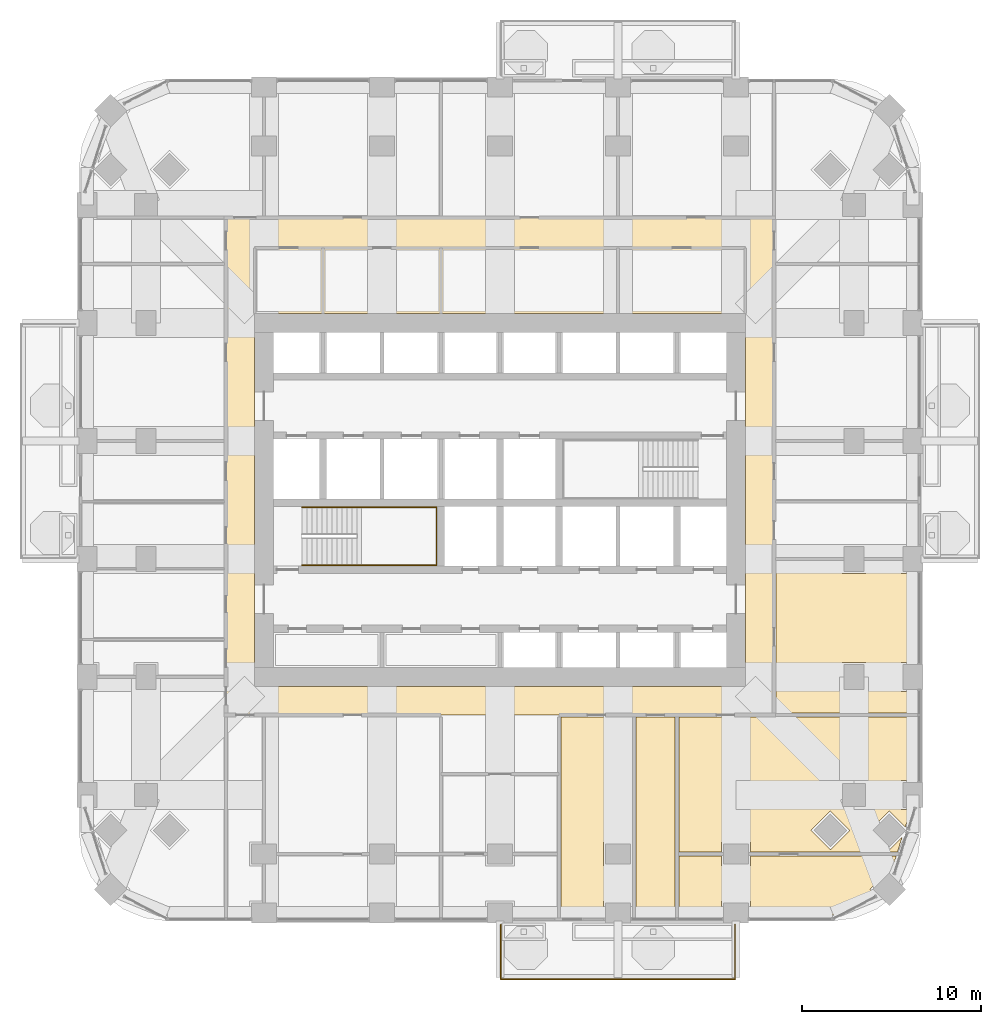
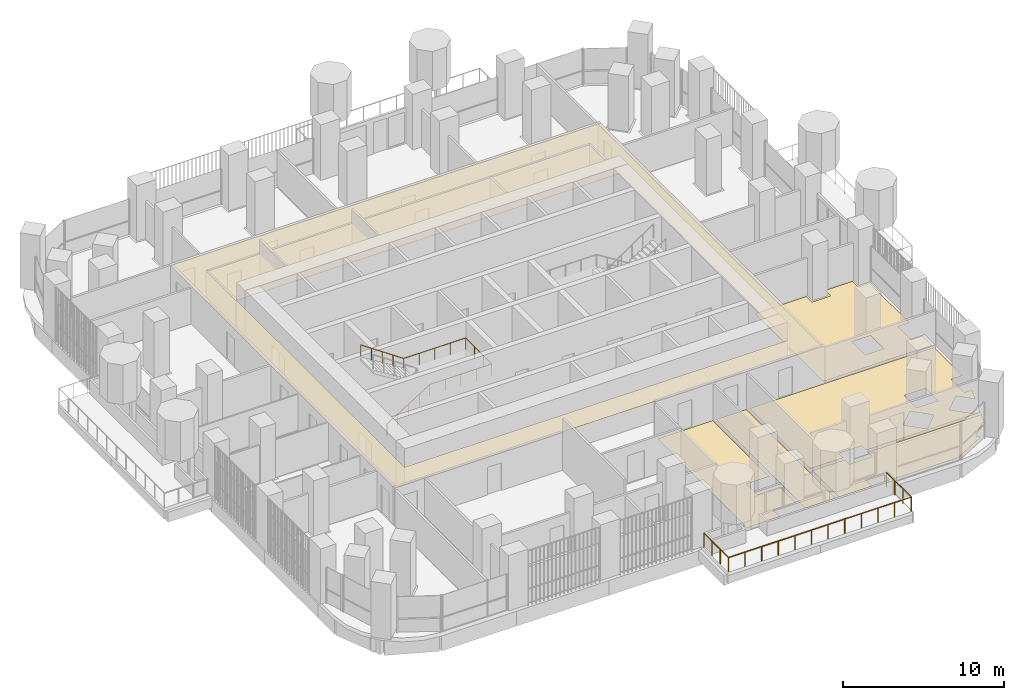
# One storey, part 20 of 23: 6 coverings, 2 railings.
"""IFC4 building model written with IfcOpenShell, lengths in metres."""

import ifcopenshell
import ifcopenshell.guid

model = None  # the IFC model being written
_history = None  # IfcOwnerHistory: only IFC2X3 demands one
_inside = {}  # id of a spatial element -> (the spatial element, [elements in it])
_under = {}  # id of a project, library or spatial element -> (it, [spatial elements below it])
_declared = {}  # id of a project -> (the project, [libraries it declares])
_typed = {}  # id of a type object -> (the type object, [elements of that type])
_made_of = {}  # id of a material, layer set ... -> (it, [elements and type objects made of it])


def new_model(schema):
    """Start an empty IFC model of exactly this schema.

    Asked for "IFC4X3", IfcOpenShell would pick the latest addendum, in which some entities
    have other attributes; the version numbers below select the first issue.
    IFC2X3 requires an IfcOwnerHistory on every rooted entity: one is made here for all.
    """
    global model, _history
    if schema == "IFC4X3":
        model = ifcopenshell.file(schema_version=(4, 3, 0, 0))
    else:
        model = ifcopenshell.file(schema=schema)
    _inside.clear()
    _under.clear()
    _declared.clear()
    _typed.clear()
    _made_of.clear()
    _history = None
    if model.schema == "IFC2X3":
        org = make("IfcOrganization", Name="unknown")
        user = make(
            "IfcPersonAndOrganization",
            ThePerson=make("IfcPerson", FamilyName="unknown"),
            TheOrganization=org,
        )
        app = make(
            "IfcApplication",
            ApplicationDeveloper=org,
            Version="unknown",
            ApplicationFullName="unknown",
            ApplicationIdentifier="unknown",
        )
        _history = make(
            "IfcOwnerHistory",
            OwningUser=user,
            OwningApplication=app,
            ChangeAction="ADDED",
            CreationDate=0,
        )
    return model


def make(cls, **values):
    """One entity of the class cls with the attributes given. An attribute that is None is left unset."""
    return model.create_entity(
        cls, **{name: value for name, value in values.items() if value is not None}
    )


def rooted(cls, **values):
    """An entity with a GlobalId (a new one), such as an element, a storey or a relation."""
    return make(cls, GlobalId=ifcopenshell.guid.new(), OwnerHistory=_history, **values)


def si_unit(unit_type, name, prefix=None):
    """IfcSIUnit, for example si_unit("LENGTHUNIT", "METRE", prefix="MILLI")."""
    return make("IfcSIUnit", UnitType=unit_type, Prefix=prefix, Name=name)


def assignment(units):
    """IfcUnitAssignment: the units of a project."""
    return None if units is None else make("IfcUnitAssignment", Units=units)


def point(xyz):
    """IfcCartesianPoint."""
    return None if xyz is None else make("IfcCartesianPoint", Coordinates=xyz)


def direction(xyz):
    """IfcDirection."""
    return None if xyz is None else make("IfcDirection", DirectionRatios=xyz)


def frame(location, z_axis=None, x_axis=None):
    """IfcAxis2Placement3D, a coordinate frame: its origin and axes. An axis left out is left unset."""
    return make(
        "IfcAxis2Placement3D",
        Location=point(location),
        Axis=direction(z_axis),
        RefDirection=direction(x_axis),
    )


def origin():
    """The frame at (0, 0, 0) with its axes left unset."""
    return frame((0.0, 0.0, 0.0))


def place(relative_to, where):
    """IfcLocalPlacement: puts the frame where relative to a parent placement (None: the world)."""
    return make(
        "IfcLocalPlacement", PlacementRelTo=relative_to, RelativePlacement=where
    )


def context(
    kind, dimensions, precision=None, world=None, true_north=None, identifier=None
):
    """IfcGeometricRepresentationContext, for example the 3D "Model" context."""
    return make(
        "IfcGeometricRepresentationContext",
        ContextIdentifier=identifier,
        ContextType=kind,
        CoordinateSpaceDimension=dimensions,
        Precision=precision,
        WorldCoordinateSystem=world,
        TrueNorth=true_north,
    )


def subcontext(parent, identifier, kind, view, scale=None):
    """IfcGeometricRepresentationSubContext, for example "Body" below "Model"."""
    return make(
        "IfcGeometricRepresentationSubContext",
        ContextIdentifier=identifier,
        ContextType=kind,
        ParentContext=parent,
        TargetScale=scale,
        TargetView=view,
    )


def project(units=None, contexts=None):
    """IfcProject with its units and contexts."""
    return rooted(
        "IfcProject",
        Name="project",
        RepresentationContexts=contexts,
        UnitsInContext=assignment(units),
    )


def spatial(cls, under=None, at=None, **own):
    """A site, building, storey or space (cls), placed at a placement, below another one or the project."""
    s = rooted(cls, ObjectPlacement=at, **own)
    if under is not None:
        _under.setdefault(under.id(), (under, []))[1].append(s)
    return s


def polyline(points):
    """IfcPolyline through the points."""
    return make("IfcPolyline", Points=[point(p) for p in points])


def outline(outer, holes=None, kind="AREA"):
    """IfcArbitraryClosedProfileDef: a profile drawn as a closed curve; with holes, ...WithVoids."""
    if holes is None:
        return make("IfcArbitraryClosedProfileDef", ProfileType=kind, OuterCurve=outer)
    return make(
        "IfcArbitraryProfileDefWithVoids",
        ProfileType=kind,
        OuterCurve=outer,
        InnerCurves=holes,
    )


def extrude(swept, where, along, depth):
    """IfcExtrudedAreaSolid: the profile swept, set in the frame where, extruded along a direction by depth."""
    return make(
        "IfcExtrudedAreaSolid",
        SweptArea=swept,
        Position=where,
        ExtrudedDirection=direction(along),
        Depth=depth,
    )


def shape(context_of_items, identifier, shape_type, items):
    """IfcShapeRepresentation: the items that make up one representation, for example the "Body"."""
    return make(
        "IfcShapeRepresentation",
        ContextOfItems=context_of_items,
        RepresentationIdentifier=identifier,
        RepresentationType=shape_type,
        Items=items,
    )


def material(Name=None, Category=None):
    """IfcMaterial."""
    return make("IfcMaterial", Name=Name, Category=Category)


def layer(
    of_material, thickness, ventilated=None, Name=None, Category=None, Priority=None
):
    """IfcMaterialLayer: one layer of a wall or slab, of a material (None: an air gap)."""
    return make(
        "IfcMaterialLayer",
        Material=of_material,
        LayerThickness=thickness,
        IsVentilated=ventilated,
        Name=Name,
        Category=Category,
        Priority=Priority,
    )


def layer_set(layers, Name=None):
    """IfcMaterialLayerSet."""
    return make("IfcMaterialLayerSet", MaterialLayers=layers, LayerSetName=Name)


def made_of(thing, what):
    """Note that an element or type object is made of a material, layer set ...; save() writes the relation."""
    if what is not None:
        _made_of.setdefault(what.id(), (what, []))[1].append(thing)
    return thing


def type_object(cls, material=None, **own):
    """A type object (cls), such as IfcWallType, which elements share."""
    return made_of(rooted(cls, **own), material)


def element(
    cls,
    number,
    at=None,
    inside=None,
    cuts=None,
    type_object=None,
    material=None,
    context=None,
    identifier="Body",
    shape_type=None,
    held_by="IfcProductDefinitionShape",
    body=None,
    shapes=None,
    **own,
):
    """One element of the class cls, such as IfcWall. Its Tag is "e" and its number.

    at: its placement. inside: the storey or other place that contains it. cuts: it is an
    opening in that element (IfcRelVoidsElement). A single representation is given by context,
    identifier, shape_type and body (its items); several are given by shapes. held_by: the class
    of the entity that holds the representations. save() writes the other relations.
    """
    e = rooted(cls, Tag="e%d" % number, ObjectPlacement=at, **own)
    if body is not None:
        shapes = [shape(context, identifier, shape_type, body)]
    if shapes is not None:
        e.Representation = make(held_by, Representations=shapes)
    if inside is not None:
        _inside.setdefault(inside.id(), (inside, []))[1].append(e)
    if cuts is not None:
        rooted(
            "IfcRelVoidsElement", RelatingBuildingElement=cuts, RelatedOpeningElement=e
        )
    if type_object is not None:
        _typed.setdefault(type_object.id(), (type_object, []))[1].append(e)
    return made_of(e, material)


def aggregate(whole, parts):
    """IfcRelAggregates: a whole, such as a stair, and the parts it consists of."""
    return rooted("IfcRelAggregates", RelatingObject=whole, RelatedObjects=parts)


def save(model, path):
    """Write the relations noted so far, then the file.

    IfcRelAggregates (storeys below a building ...), IfcRelContainedInSpatialStructure (elements
    in a storey), IfcRelDefinesByType, IfcRelAssociatesMaterial and IfcRelDeclares: one each for
    every whole, place, type object, material and project.
    """
    for whole, parts in _under.values():
        aggregate(whole, parts)
    for where, things in _inside.values():
        rooted(
            "IfcRelContainedInSpatialStructure",
            RelatedElements=things,
            RelatingStructure=where,
        )
    for kind, things in _typed.values():
        rooted("IfcRelDefinesByType", RelatedObjects=things, RelatingType=kind)
    for what, things in _made_of.values():
        rooted("IfcRelAssociatesMaterial", RelatedObjects=things, RelatingMaterial=what)
    for by, libraries in _declared.values():
        rooted("IfcRelDeclares", RelatingContext=by, RelatedDefinitions=libraries)
    model.write(path)


model = new_model("IFC4")

# Units and contexts
model_context = context("Model", 3, precision=1e-05, world=origin(), true_north=direction((0.0, 1.0)))
body_context = subcontext(model_context, "Body", "Model", "MODEL_VIEW")
ifc_project = project(units=[si_unit("LENGTHUNIT", "METRE"), si_unit("AREAUNIT", "SQUARE_METRE"), si_unit("VOLUMEUNIT", "CUBIC_METRE"), si_unit("PLANEANGLEUNIT", "RADIAN"), si_unit("MASSUNIT", "GRAM", prefix="KILO")], contexts=[model_context])

# Site, building, storey
site_placement = place(None, origin())
site = spatial("IfcSite", under=ifc_project, at=site_placement, CompositionType="ELEMENT")
building_placement = place(site_placement, origin())
building = spatial("IfcBuilding", under=site, at=building_placement, Name="Cobogo Forest Laboratory Tower", CompositionType="ELEMENT")
storey_placement = place(building_placement, frame((0.0, 0.0, 128.39990234375)))
storey = spatial("IfcBuildingStorey", under=building, at=storey_placement, Name="L29", CompositionType="ELEMENT", Elevation=128.39990234375)

# Railing
ifc_material_1 = material(Name="Laminated glass balustrade", Category="glass")
railing_type_1 = type_object("IfcRailingType", Name="BG1 glass balustrade 1100", PredefinedType="GUARDRAIL", material=ifc_material_1)
railing_1_placement = place(storey_placement, frame((26.449951171875, -0.64990234375, 0.0)))
element("IfcRailing", 1, at=railing_1_placement, inside=storey, type_object=railing_type_1, Name="Balcony balustrade BAL-S1 L29", PredefinedType="GUARDRAIL", context=body_context, shape_type="SweptSolid", body=[
    extrude(outline(polyline([(0.022216796875, 0.00927734375), (0.00927734375, 0.022216796875), (-0.00927734375, 0.022216796875), (-0.022216796875, 0.00927734375), (-0.022216796875, -0.00927734375), (-0.00927734375, -0.022216796875), (0.00927734375, -0.022216796875), (0.022216796875, -0.00927734375), (0.022216796875, 0.00927734375)])), frame((0.0, 0.0, 1.077880859375), z_axis=(0.0, -1.0, 0.0), x_axis=(1.0, 0.0, 0.0)), (0.0, 0.0, 1.0), 3.050048828125),
    extrude(outline(polyline([(0.022216796875, 0.00927734375), (0.00927734375, 0.022216796875), (-0.00927734375, 0.022216796875), (-0.022216796875, 0.00927734375), (-0.022216796875, -0.00927734375), (-0.00927734375, -0.022216796875), (0.00927734375, -0.022216796875), (0.022216796875, -0.00927734375), (0.022216796875, 0.00927734375)])), frame((0.0, -3.050048828125, 1.077880859375), z_axis=(1.0, 0.0, 0.0), x_axis=(0.0, 1.0, 0.0)), (0.0, 0.0, 1.0), 13.10009765625),
    extrude(outline(polyline([(0.022216796875, 0.00927734375), (0.00927734375, 0.022216796875), (-0.00927734375, 0.022216796875), (-0.022216796875, 0.00927734375), (-0.022216796875, -0.00927734375), (-0.00927734375, -0.022216796875), (0.00927734375, -0.022216796875), (0.022216796875, -0.00927734375), (0.022216796875, 0.00927734375)])), frame((13.10009765625, -3.050048828125, 1.077880859375), z_axis=(0.0, 1.0, 0.0), x_axis=(-1.0, 0.0, 0.0)), (0.0, 0.0, 1.0), 3.050048828125),
    extrude(outline(polyline([(0.019287109375, 0.008056640625), (0.008056640625, 0.019287109375), (-0.008056640625, 0.019287109375), (-0.019287109375, 0.008056640625), (-0.019287109375, -0.008056640625), (-0.008056640625, -0.019287109375), (0.008056640625, -0.019287109375), (0.019287109375, -0.008056640625), (0.019287109375, 0.008056640625)])), origin(), (0.0, 0.0, 1.0), 1.077880859375),
    extrude(outline(polyline([(0.019287109375, 0.008056640625), (0.008056640625, 0.019287109375), (-0.008056640625, 0.019287109375), (-0.019287109375, 0.008056640625), (-0.019287109375, -0.008056640625), (-0.008056640625, -0.019287109375), (0.008056640625, -0.019287109375), (0.019287109375, -0.008056640625), (0.019287109375, 0.008056640625)])), frame((0.0, -1.0166015625, 0.0)), (0.0, 0.0, 1.0), 1.077880859375),
    extrude(outline(polyline([(0.019287109375, 0.008056640625), (0.008056640625, 0.019287109375), (-0.008056640625, 0.019287109375), (-0.019287109375, 0.008056640625), (-0.019287109375, -0.008056640625), (-0.008056640625, -0.019287109375), (0.008056640625, -0.019287109375), (0.019287109375, -0.008056640625), (0.019287109375, 0.008056640625)])), frame((0.0, -2.033447265625, 0.0)), (0.0, 0.0, 1.0), 1.077880859375),
    extrude(outline(polyline([(0.019287109375, 0.008056640625), (0.008056640625, 0.019287109375), (-0.008056640625, 0.019287109375), (-0.019287109375, 0.008056640625), (-0.019287109375, -0.008056640625), (-0.008056640625, -0.019287109375), (0.008056640625, -0.019287109375), (0.019287109375, -0.008056640625), (0.019287109375, 0.008056640625)])), frame((0.0, -3.050048828125, 0.0)), (0.0, 0.0, 1.0), 1.077880859375),
    extrude(outline(polyline([(0.019287109375, 0.008056640625), (0.008056640625, 0.019287109375), (-0.008056640625, 0.019287109375), (-0.019287109375, 0.008056640625), (-0.019287109375, -0.008056640625), (-0.008056640625, -0.019287109375), (0.008056640625, -0.019287109375), (0.019287109375, -0.008056640625), (0.019287109375, 0.008056640625)])), frame((1.19091796875, -3.050048828125, 0.0)), (0.0, 0.0, 1.0), 1.077880859375),
    extrude(outline(polyline([(0.019287109375, 0.008056640625), (0.008056640625, 0.019287109375), (-0.008056640625, 0.019287109375), (-0.019287109375, 0.008056640625), (-0.019287109375, -0.008056640625), (-0.008056640625, -0.019287109375), (0.008056640625, -0.019287109375), (0.019287109375, -0.008056640625), (0.019287109375, 0.008056640625)])), frame((2.3818359375, -3.050048828125, 0.0)), (0.0, 0.0, 1.0), 1.077880859375),
    extrude(outline(polyline([(0.019287109375, 0.008056640625), (0.008056640625, 0.019287109375), (-0.008056640625, 0.019287109375), (-0.019287109375, 0.008056640625), (-0.019287109375, -0.008056640625), (-0.008056640625, -0.019287109375), (0.008056640625, -0.019287109375), (0.019287109375, -0.008056640625), (0.019287109375, 0.008056640625)])), frame((3.57275390625, -3.050048828125, 0.0)), (0.0, 0.0, 1.0), 1.077880859375),
    extrude(outline(polyline([(0.019287109375, 0.008056640625), (0.008056640625, 0.019287109375), (-0.008056640625, 0.019287109375), (-0.019287109375, 0.008056640625), (-0.019287109375, -0.008056640625), (-0.008056640625, -0.019287109375), (0.008056640625, -0.019287109375), (0.019287109375, -0.008056640625), (0.019287109375, 0.008056640625)])), frame((4.763671875, -3.050048828125, 0.0)), (0.0, 0.0, 1.0), 1.077880859375),
    extrude(outline(polyline([(0.019287109375, 0.008056640625), (0.008056640625, 0.019287109375), (-0.008056640625, 0.019287109375), (-0.019287109375, 0.008056640625), (-0.019287109375, -0.008056640625), (-0.008056640625, -0.019287109375), (0.008056640625, -0.019287109375), (0.019287109375, -0.008056640625), (0.019287109375, 0.008056640625)])), frame((5.95458984375, -3.050048828125, 0.0)), (0.0, 0.0, 1.0), 1.077880859375),
    extrude(outline(polyline([(0.019287109375, 0.008056640625), (0.008056640625, 0.019287109375), (-0.008056640625, 0.019287109375), (-0.019287109375, 0.008056640625), (-0.019287109375, -0.008056640625), (-0.008056640625, -0.019287109375), (0.008056640625, -0.019287109375), (0.019287109375, -0.008056640625), (0.019287109375, 0.008056640625)])), frame((7.1455078125, -3.050048828125, 0.0)), (0.0, 0.0, 1.0), 1.077880859375),
    extrude(outline(polyline([(0.019287109375, 0.008056640625), (0.008056640625, 0.019287109375), (-0.008056640625, 0.019287109375), (-0.019287109375, 0.008056640625), (-0.019287109375, -0.008056640625), (-0.008056640625, -0.019287109375), (0.008056640625, -0.019287109375), (0.019287109375, -0.008056640625), (0.019287109375, 0.008056640625)])), frame((8.33642578125, -3.050048828125, 0.0)), (0.0, 0.0, 1.0), 1.077880859375),
    extrude(outline(polyline([(0.019287109375, 0.008056640625), (0.008056640625, 0.019287109375), (-0.008056640625, 0.019287109375), (-0.019287109375, 0.008056640625), (-0.019287109375, -0.008056640625), (-0.008056640625, -0.019287109375), (0.008056640625, -0.019287109375), (0.019287109375, -0.008056640625), (0.019287109375, 0.008056640625)])), frame((9.52734375, -3.050048828125, 0.0)), (0.0, 0.0, 1.0), 1.077880859375),
    extrude(outline(polyline([(0.019287109375, 0.008056640625), (0.008056640625, 0.019287109375), (-0.008056640625, 0.019287109375), (-0.019287109375, 0.008056640625), (-0.019287109375, -0.008056640625), (-0.008056640625, -0.019287109375), (0.008056640625, -0.019287109375), (0.019287109375, -0.008056640625), (0.019287109375, 0.008056640625)])), frame((10.71826171875, -3.050048828125, 0.0)), (0.0, 0.0, 1.0), 1.077880859375),
    extrude(outline(polyline([(0.019287109375, 0.008056640625), (0.008056640625, 0.019287109375), (-0.008056640625, 0.019287109375), (-0.019287109375, 0.008056640625), (-0.019287109375, -0.008056640625), (-0.008056640625, -0.019287109375), (0.008056640625, -0.019287109375), (0.019287109375, -0.008056640625), (0.019287109375, 0.008056640625)])), frame((11.9091796875, -3.050048828125, 0.0)), (0.0, 0.0, 1.0), 1.077880859375),
    extrude(outline(polyline([(0.019287109375, 0.008056640625), (0.008056640625, 0.019287109375), (-0.008056640625, 0.019287109375), (-0.019287109375, 0.008056640625), (-0.019287109375, -0.008056640625), (-0.008056640625, -0.019287109375), (0.008056640625, -0.019287109375), (0.019287109375, -0.008056640625), (0.019287109375, 0.008056640625)])), frame((13.10009765625, -3.050048828125, 0.0)), (0.0, 0.0, 1.0), 1.077880859375),
    extrude(outline(polyline([(0.019287109375, 0.008056640625), (0.008056640625, 0.019287109375), (-0.008056640625, 0.019287109375), (-0.019287109375, 0.008056640625), (-0.019287109375, -0.008056640625), (-0.008056640625, -0.019287109375), (0.008056640625, -0.019287109375), (0.019287109375, -0.008056640625), (0.019287109375, 0.008056640625)])), frame((13.10009765625, -2.033447265625, 0.0)), (0.0, 0.0, 1.0), 1.077880859375),
    extrude(outline(polyline([(0.019287109375, 0.008056640625), (0.008056640625, 0.019287109375), (-0.008056640625, 0.019287109375), (-0.019287109375, 0.008056640625), (-0.019287109375, -0.008056640625), (-0.008056640625, -0.019287109375), (0.008056640625, -0.019287109375), (0.019287109375, -0.008056640625), (0.019287109375, 0.008056640625)])), frame((13.10009765625, -1.0166015625, 0.0)), (0.0, 0.0, 1.0), 1.077880859375),
    extrude(outline(polyline([(0.019287109375, 0.008056640625), (0.008056640625, 0.019287109375), (-0.008056640625, 0.019287109375), (-0.019287109375, 0.008056640625), (-0.019287109375, -0.008056640625), (-0.008056640625, -0.019287109375), (0.008056640625, -0.019287109375), (0.019287109375, -0.008056640625), (0.019287109375, 0.008056640625)])), frame((13.10009765625, 0.0, 0.0)), (0.0, 0.0, 1.0), 1.077880859375),
])

# Coverings
ifc_material_2 = material(Name="Mineral fibre ceiling tile", Category="ceiling")
ifc_layer_1 = layer(ifc_material_2, 0.02001953125)
ifc_layer_set_1 = layer_set([ifc_layer_1], Name="CL1 suspended ceiling")
covering_type_1 = type_object("IfcCoveringType", Name="CL1 suspended ceiling", PredefinedType="CEILING", material=ifc_layer_set_1)
covering_1_placement = place(storey_placement, frame((0.0, 0.0, 2.800048828125)))
element("IfcCovering", 2, at=covering_1_placement, inside=storey, type_object=covering_type_1, Name="Corridor ceiling L29", PredefinedType="CEILING", context=body_context, shape_type="SweptSolid", body=[
    extrude(outline(polyline([(11.074951171875, 11.074951171875), (11.074951171875, 38.89990234375), (41.72509765625, 38.89990234375), (41.72509765625, 11.074951171875), (11.074951171875, 11.074951171875)]), holes=[polyline([(40.125, 33.52490234375), (12.675048828125, 33.52490234375), (12.675048828125, 12.675048828125), (40.125, 12.675048828125), (40.125, 33.52490234375)])]), origin(), (0.0, 0.0, 1.0), 0.02001953125),
])
ifc_material_3 = material(Name="Carpet tile on raised access floor", Category="flooring")
ifc_layer_2 = layer(ifc_material_3, 0.008056640625)
ifc_layer_set_2 = layer_set([ifc_layer_2], Name="CT1 carpet tile floor 8")
covering_type_2 = type_object("IfcCoveringType", Name="CT1 carpet tile floor 8", PredefinedType="FLOORING", material=ifc_layer_set_2)
covering_2_placement = place(storey_placement, origin())
element("IfcCovering", 3, at=covering_2_placement, inside=storey, type_object=covering_type_2, Name="Carpet floor L29-10", PredefinedType="FLOORING", context=body_context, shape_type="SweptSolid", body=[
    extrude(outline(polyline([(32.179931640625, 3.969970703125), (32.179931640625, 2.6298828125), (33.780029296875, 2.6298828125), (33.780029296875, 0.669921875), (32.179931640625, 0.669921875), (32.179931640625, -0.14990234375), (29.820068359375, -0.14990234375), (29.820068359375, 10.955078125), (33.780029296875, 10.955078125), (33.780029296875, 3.969970703125), (32.179931640625, 3.969970703125)])), origin(), (0.0, 0.0, 1.0), 0.008056640625),
])
covering_3_placement = place(storey_placement, origin())
element("IfcCovering", 4, at=covering_3_placement, inside=storey, type_object=covering_type_2, Name="Carpet floor L29-13", PredefinedType="FLOORING", context=body_context, shape_type="SweptSolid", body=[
    extrude(outline(polyline([(38.780029296875, 3.179931640625), (38.780029296875, 2.6298828125), (40.419921875, 2.6298828125), (40.419921875, 3.179931640625), (48.560302734375, 3.179931640625), (48.283935546875, 2.304931640625), (48.181884765625, 2.406982421875), (47.093017578125, 1.318115234375), (47.3193359375, 1.091552734375), (44.95068359375, -0.14990234375), (40.419921875, -0.14990234375), (40.419921875, 0.669921875), (38.780029296875, 0.669921875), (38.780029296875, -0.14990234375), (36.419921875, -0.14990234375), (36.419921875, 3.179931640625), (38.780029296875, 3.179931640625)])), origin(), (0.0, 0.0, 1.0), 0.008056640625),
])
covering_4_placement = place(storey_placement, origin())
element("IfcCovering", 5, at=covering_4_placement, inside=storey, type_object=covering_type_2, Name="Carpet floor L29-14", PredefinedType="FLOORING", context=body_context, shape_type="SweptSolid", body=[
    extrude(outline(polyline([(41.844970703125, 19.679931640625), (45.530029296875, 19.679931640625), (45.530029296875, 18.97998046875), (46.8701171875, 18.97998046875), (46.8701171875, 19.679931640625), (48.830078125, 19.679931640625), (48.830078125, 18.97998046875), (49.64990234375, 18.97998046875), (49.64990234375, 14.02001953125), (48.830078125, 14.02001953125), (48.830078125, 12.3798828125), (49.64990234375, 12.3798828125), (49.64990234375, 11.195068359375), (41.844970703125, 11.195068359375), (41.844970703125, 19.679931640625)]), holes=[polyline([(45.530029296875, 12.3798828125), (46.8701171875, 12.3798828125), (46.8701171875, 14.02001953125), (45.530029296875, 14.02001953125), (45.530029296875, 12.3798828125)])]), origin(), (0.0, 0.0, 1.0), 0.008056640625),
])

# Railing
ifc_material_4 = material(Name="Stainless steel handrail", Category="steel")
railing_type_2 = type_object("IfcRailingType", Name="HR handrail 900", PredefinedType="HANDRAIL", material=ifc_material_4)
railing_2_placement = place(storey_placement, frame((15.324951171875, 19.449951171875, 0.175048828125)))
element("IfcRailing", 6, at=railing_2_placement, inside=storey, type_object=railing_type_2, Name="Stair handrail ST1 L29", PredefinedType="HANDRAIL", context=body_context, shape_type="SweptSolid", body=[
    extrude(outline(polyline([(0.022216796875, 0.00927734375), (0.00927734375, 0.022216796875), (-0.00927734375, 0.022216796875), (-0.022216796875, 0.00927734375), (-0.022216796875, -0.00927734375), (-0.00927734375, -0.022216796875), (0.00927734375, -0.022216796875), (0.022216796875, -0.00927734375), (0.022216796875, 0.00927734375)])), frame((0.0, 0.0, 0.877685546875), z_axis=(0.847998304005, 0.0, 0.529998940003), x_axis=(0.0, 1.0, 0.0)), (0.0, 0.0, 1.0), 3.632080078125),
    extrude(outline(polyline([(0.022216796875, 0.00927734375), (0.00927734375, 0.022216796875), (-0.00927734375, 0.022216796875), (-0.022216796875, 0.00927734375), (-0.022216796875, -0.00927734375), (-0.00927734375, -0.022216796875), (0.00927734375, -0.022216796875), (0.022216796875, -0.00927734375), (0.022216796875, 0.00927734375)])), frame((3.080078125, 0.0, 2.802734375), z_axis=(1.0, 0.0, 0.0), x_axis=(0.0, 1.0, 0.0)), (0.0, 0.0, 1.0), 4.445068359375),
    extrude(outline(polyline([(0.022216796875, 0.00927734375), (0.00927734375, 0.022216796875), (-0.00927734375, 0.022216796875), (-0.022216796875, 0.00927734375), (-0.022216796875, -0.00927734375), (-0.00927734375, -0.022216796875), (0.00927734375, -0.022216796875), (0.022216796875, -0.00927734375), (0.022216796875, 0.00927734375)])), frame((7.525146484375, 0.0, 2.802734375), z_axis=(0.0, 1.0, 0.0), x_axis=(-1.0, 0.0, 0.0)), (0.0, 0.0, 1.0), 3.25),
    extrude(outline(polyline([(0.022216796875, 0.00927734375), (0.00927734375, 0.022216796875), (-0.00927734375, 0.022216796875), (-0.022216796875, 0.00927734375), (-0.022216796875, -0.00927734375), (-0.00927734375, -0.022216796875), (0.00927734375, -0.022216796875), (0.022216796875, -0.00927734375), (0.022216796875, 0.00927734375)])), frame((7.525146484375, 3.25, 2.802734375), z_axis=(-1.0, 0.0, 0.0), x_axis=(0.0, -1.0, 0.0)), (0.0, 0.0, 1.0), 4.445068359375),
    extrude(outline(polyline([(0.022216796875, 0.00927734375), (0.00927734375, 0.022216796875), (-0.00927734375, 0.022216796875), (-0.022216796875, 0.00927734375), (-0.022216796875, -0.00927734375), (-0.00927734375, -0.022216796875), (0.00927734375, -0.022216796875), (0.022216796875, -0.00927734375), (0.022216796875, 0.00927734375)])), frame((3.080078125, 3.25, 2.802734375), z_axis=(-0.826221800596, 0.0, 0.563344953133), x_axis=(0.0, -1.0, 0.0)), (0.0, 0.0, 1.0), 3.72802734375),
    extrude(outline(polyline([(0.019287109375, 0.008056640625), (0.008056640625, 0.019287109375), (-0.008056640625, 0.019287109375), (-0.019287109375, 0.008056640625), (-0.019287109375, -0.008056640625), (-0.008056640625, -0.019287109375), (0.008056640625, -0.019287109375), (0.019287109375, -0.008056640625), (0.019287109375, 0.008056640625)])), origin(), (0.0, 0.0, 1.0), 0.877685546875),
    extrude(outline(polyline([(0.019287109375, 0.008056640625), (0.008056640625, 0.019287109375), (-0.008056640625, 0.019287109375), (-0.019287109375, 0.008056640625), (-0.019287109375, -0.008056640625), (-0.008056640625, -0.019287109375), (0.008056640625, -0.019287109375), (0.019287109375, -0.008056640625), (0.019287109375, 0.008056640625)])), frame((0.77001953125, 0.0, 0.481201171875)), (0.0, 0.0, 1.0), 0.877685546875),
    extrude(outline(polyline([(0.019287109375, 0.008056640625), (0.008056640625, 0.019287109375), (-0.008056640625, 0.019287109375), (-0.019287109375, 0.008056640625), (-0.019287109375, -0.008056640625), (-0.008056640625, -0.019287109375), (0.008056640625, -0.019287109375), (0.019287109375, -0.008056640625), (0.019287109375, 0.008056640625)])), frame((1.5400390625, 0.0, 0.96240234375)), (0.0, 0.0, 1.0), 0.877685546875),
    extrude(outline(polyline([(0.019287109375, 0.008056640625), (0.008056640625, 0.019287109375), (-0.008056640625, 0.019287109375), (-0.019287109375, 0.008056640625), (-0.019287109375, -0.008056640625), (-0.008056640625, -0.019287109375), (0.008056640625, -0.019287109375), (0.019287109375, -0.008056640625), (0.019287109375, 0.008056640625)])), frame((2.31005859375, 0.0, 1.44384765625)), (0.0, 0.0, 1.0), 0.877685546875),
    extrude(outline(polyline([(0.019287109375, 0.008056640625), (0.008056640625, 0.019287109375), (-0.008056640625, 0.019287109375), (-0.019287109375, 0.008056640625), (-0.019287109375, -0.008056640625), (-0.008056640625, -0.019287109375), (0.008056640625, -0.019287109375), (0.019287109375, -0.008056640625), (0.019287109375, 0.008056640625)])), frame((3.080078125, 0.0, 1.925048828125)), (0.0, 0.0, 1.0), 0.877685546875),
    extrude(outline(polyline([(0.019287109375, 0.008056640625), (0.008056640625, 0.019287109375), (-0.008056640625, 0.019287109375), (-0.019287109375, 0.008056640625), (-0.019287109375, -0.008056640625), (-0.008056640625, -0.019287109375), (0.008056640625, -0.019287109375), (0.019287109375, -0.008056640625), (0.019287109375, 0.008056640625)])), frame((4.19140625, 0.0, 1.925048828125)), (0.0, 0.0, 1.0), 0.877685546875),
    extrude(outline(polyline([(0.019287109375, 0.008056640625), (0.008056640625, 0.019287109375), (-0.008056640625, 0.019287109375), (-0.019287109375, 0.008056640625), (-0.019287109375, -0.008056640625), (-0.008056640625, -0.019287109375), (0.008056640625, -0.019287109375), (0.019287109375, -0.008056640625), (0.019287109375, 0.008056640625)])), frame((5.302734375, 0.0, 1.925048828125)), (0.0, 0.0, 1.0), 0.877685546875),
    extrude(outline(polyline([(0.019287109375, 0.008056640625), (0.008056640625, 0.019287109375), (-0.008056640625, 0.019287109375), (-0.019287109375, 0.008056640625), (-0.019287109375, -0.008056640625), (-0.008056640625, -0.019287109375), (0.008056640625, -0.019287109375), (0.019287109375, -0.008056640625), (0.019287109375, 0.008056640625)])), frame((6.413818359375, 0.0, 1.925048828125)), (0.0, 0.0, 1.0), 0.877685546875),
    extrude(outline(polyline([(0.019287109375, 0.008056640625), (0.008056640625, 0.019287109375), (-0.008056640625, 0.019287109375), (-0.019287109375, 0.008056640625), (-0.019287109375, -0.008056640625), (-0.008056640625, -0.019287109375), (0.008056640625, -0.019287109375), (0.019287109375, -0.008056640625), (0.019287109375, 0.008056640625)])), frame((7.525146484375, 0.0, 1.925048828125)), (0.0, 0.0, 1.0), 0.877685546875),
    extrude(outline(polyline([(0.019287109375, 0.008056640625), (0.008056640625, 0.019287109375), (-0.008056640625, 0.019287109375), (-0.019287109375, 0.008056640625), (-0.019287109375, -0.008056640625), (-0.008056640625, -0.019287109375), (0.008056640625, -0.019287109375), (0.019287109375, -0.008056640625), (0.019287109375, 0.008056640625)])), frame((7.525146484375, 1.083251953125, 1.925048828125)), (0.0, 0.0, 1.0), 0.877685546875),
    extrude(outline(polyline([(0.019287109375, 0.008056640625), (0.008056640625, 0.019287109375), (-0.008056640625, 0.019287109375), (-0.019287109375, 0.008056640625), (-0.019287109375, -0.008056640625), (-0.008056640625, -0.019287109375), (0.008056640625, -0.019287109375), (0.019287109375, -0.008056640625), (0.019287109375, 0.008056640625)])), frame((7.525146484375, 2.166748046875, 1.925048828125)), (0.0, 0.0, 1.0), 0.877685546875),
    extrude(outline(polyline([(0.019287109375, 0.008056640625), (0.008056640625, 0.019287109375), (-0.008056640625, 0.019287109375), (-0.019287109375, 0.008056640625), (-0.019287109375, -0.008056640625), (-0.008056640625, -0.019287109375), (0.008056640625, -0.019287109375), (0.019287109375, -0.008056640625), (0.019287109375, 0.008056640625)])), frame((7.525146484375, 3.25, 1.925048828125)), (0.0, 0.0, 1.0), 0.877685546875),
    extrude(outline(polyline([(0.019287109375, 0.008056640625), (0.008056640625, 0.019287109375), (-0.008056640625, 0.019287109375), (-0.019287109375, 0.008056640625), (-0.019287109375, -0.008056640625), (-0.008056640625, -0.019287109375), (0.008056640625, -0.019287109375), (0.019287109375, -0.008056640625), (0.019287109375, 0.008056640625)])), frame((6.413818359375, 3.25, 1.925048828125)), (0.0, 0.0, 1.0), 0.877685546875),
    extrude(outline(polyline([(0.019287109375, 0.008056640625), (0.008056640625, 0.019287109375), (-0.008056640625, 0.019287109375), (-0.019287109375, 0.008056640625), (-0.019287109375, -0.008056640625), (-0.008056640625, -0.019287109375), (0.008056640625, -0.019287109375), (0.019287109375, -0.008056640625), (0.019287109375, 0.008056640625)])), frame((5.302734375, 3.25, 1.925048828125)), (0.0, 0.0, 1.0), 0.877685546875),
    extrude(outline(polyline([(0.019287109375, 0.008056640625), (0.008056640625, 0.019287109375), (-0.008056640625, 0.019287109375), (-0.019287109375, 0.008056640625), (-0.019287109375, -0.008056640625), (-0.008056640625, -0.019287109375), (0.008056640625, -0.019287109375), (0.019287109375, -0.008056640625), (0.019287109375, 0.008056640625)])), frame((4.19140625, 3.25, 1.925048828125)), (0.0, 0.0, 1.0), 0.877685546875),
    extrude(outline(polyline([(0.019287109375, 0.008056640625), (0.008056640625, 0.019287109375), (-0.008056640625, 0.019287109375), (-0.019287109375, 0.008056640625), (-0.019287109375, -0.008056640625), (-0.008056640625, -0.019287109375), (0.008056640625, -0.019287109375), (0.019287109375, -0.008056640625), (0.019287109375, 0.008056640625)])), frame((3.080078125, 3.25, 1.925048828125)), (0.0, 0.0, 1.0), 0.877685546875),
    extrude(outline(polyline([(0.019287109375, 0.008056640625), (0.008056640625, 0.019287109375), (-0.008056640625, 0.019287109375), (-0.019287109375, 0.008056640625), (-0.019287109375, -0.008056640625), (-0.008056640625, -0.019287109375), (0.008056640625, -0.019287109375), (0.019287109375, -0.008056640625), (0.019287109375, 0.008056640625)])), frame((2.31005859375, 3.25, 2.4501953125)), (0.0, 0.0, 1.0), 0.877685546875),
    extrude(outline(polyline([(0.019287109375, 0.008056640625), (0.008056640625, 0.019287109375), (-0.008056640625, 0.019287109375), (-0.019287109375, 0.008056640625), (-0.019287109375, -0.008056640625), (-0.008056640625, -0.019287109375), (0.008056640625, -0.019287109375), (0.019287109375, -0.008056640625), (0.019287109375, 0.008056640625)])), frame((1.5400390625, 3.25, 2.97509765625)), (0.0, 0.0, 1.0), 0.877685546875),
    extrude(outline(polyline([(0.019287109375, 0.008056640625), (0.008056640625, 0.019287109375), (-0.008056640625, 0.019287109375), (-0.019287109375, 0.008056640625), (-0.019287109375, -0.008056640625), (-0.008056640625, -0.019287109375), (0.008056640625, -0.019287109375), (0.019287109375, -0.008056640625), (0.019287109375, 0.008056640625)])), frame((0.77001953125, 3.25, 3.5)), (0.0, 0.0, 1.0), 0.877685546875),
    extrude(outline(polyline([(0.019287109375, 0.008056640625), (0.008056640625, 0.019287109375), (-0.008056640625, 0.019287109375), (-0.019287109375, 0.008056640625), (-0.019287109375, -0.008056640625), (-0.008056640625, -0.019287109375), (0.008056640625, -0.019287109375), (0.019287109375, -0.008056640625), (0.019287109375, 0.008056640625)])), frame((0.0, 3.25, 4.025146484375)), (0.0, 0.0, 1.0), 0.877685546875),
])

# Coverings
ifc_material_5 = material(Name="Epoxy resin flooring", Category="flooring")
ifc_layer_3 = layer(ifc_material_5, 0.00390625)
ifc_layer_set_3 = layer_set([ifc_layer_3], Name="LF1 epoxy laboratory floor 4")
covering_type_3 = type_object("IfcCoveringType", Name="LF1 epoxy laboratory floor 4", PredefinedType="FLOORING", material=ifc_layer_set_3)
covering_5_placement = place(storey_placement, origin())
element("IfcCovering", 7, at=covering_5_placement, inside=storey, type_object=covering_type_3, Name="Epoxy laboratory floor L29-12", PredefinedType="FLOORING", context=body_context, shape_type="SweptSolid", body=[
    extrude(outline(polyline([(36.419921875, 10.955078125), (49.64990234375, 10.955078125), (49.64990234375, 7.419921875), (48.830078125, 7.419921875), (48.830078125, 5.780029296875), (49.38134765625, 5.780029296875), (49.075927734375, 4.81298828125), (48.181884765625, 5.70703125), (47.093017578125, 4.617919921875), (48.181884765625, 3.529052734375), (48.89599609375, 4.2431640625), (48.635986328125, 3.419921875), (40.419921875, 3.419921875), (40.419921875, 3.969970703125), (38.780029296875, 3.969970703125), (38.780029296875, 3.419921875), (36.419921875, 3.419921875), (36.419921875, 10.955078125)]), holes=[polyline([(45.429931640625, 5.830078125), (46.969970703125, 5.830078125), (46.969970703125, 7.3701171875), (45.429931640625, 7.3701171875), (45.429931640625, 5.830078125)]), polyline([(43.79296875, 4.617919921875), (44.882080078125, 3.529052734375), (45.970947265625, 4.617919921875), (44.882080078125, 5.70703125), (43.79296875, 4.617919921875)])]), origin(), (0.0, 0.0, 1.0), 0.004150390625),
])
ifc_material_6 = material(Name="Ceramic floor tile", Category="flooring")
ifc_layer_4 = layer(ifc_material_6, 0.010009765625)
ifc_layer_set_4 = layer_set([ifc_layer_4], Name="TF1 ceramic tile floor 10")
covering_type_4 = type_object("IfcCoveringType", Name="TF1 ceramic tile floor 10", PredefinedType="FLOORING", material=ifc_layer_set_4)
covering_6_placement = place(storey_placement, origin())
element("IfcCovering", 8, at=covering_6_placement, inside=storey, type_object=covering_type_4, Name="Tile floor L29-11", PredefinedType="FLOORING", context=body_context, shape_type="SweptSolid", body=[
    extrude(outline(polyline([(34.02001953125, 10.955078125), (36.179931640625, 10.955078125), (36.179931640625, -0.14990234375), (34.02001953125, -0.14990234375), (34.02001953125, 10.955078125)])), origin(), (0.0, 0.0, 1.0), 0.010009765625),
])

save(model, "model.ifc")
